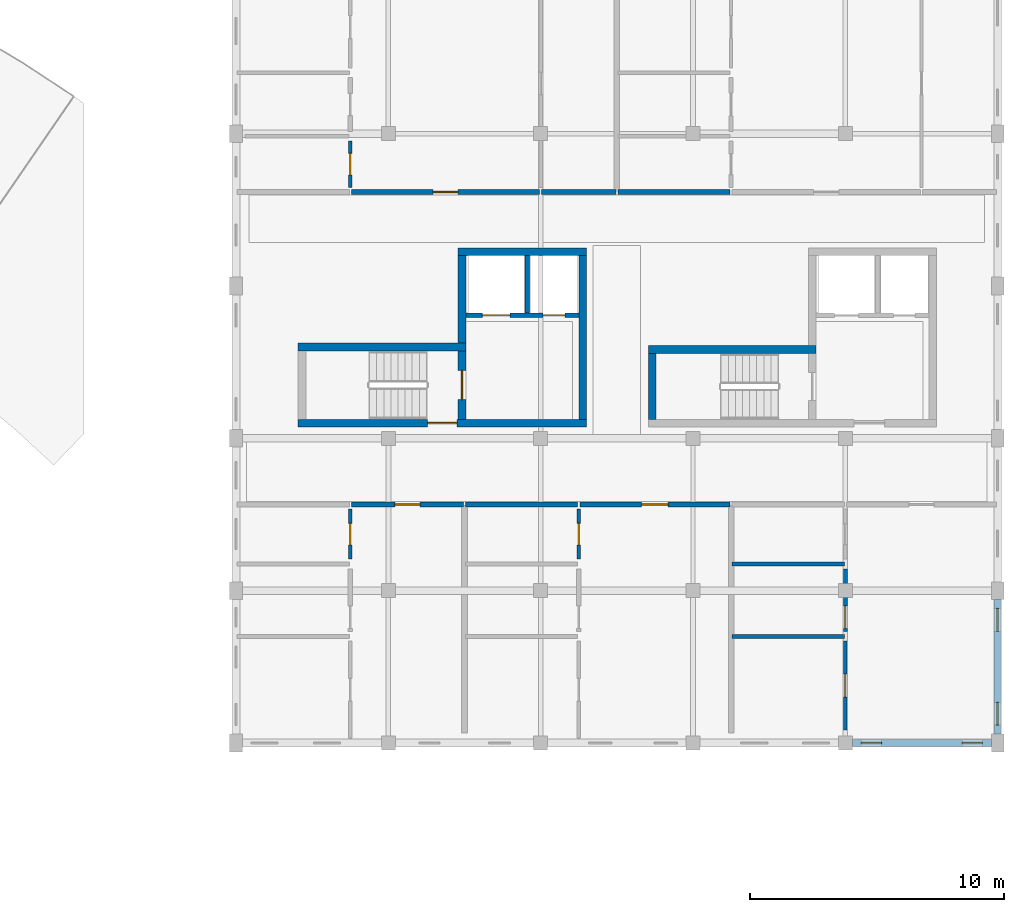
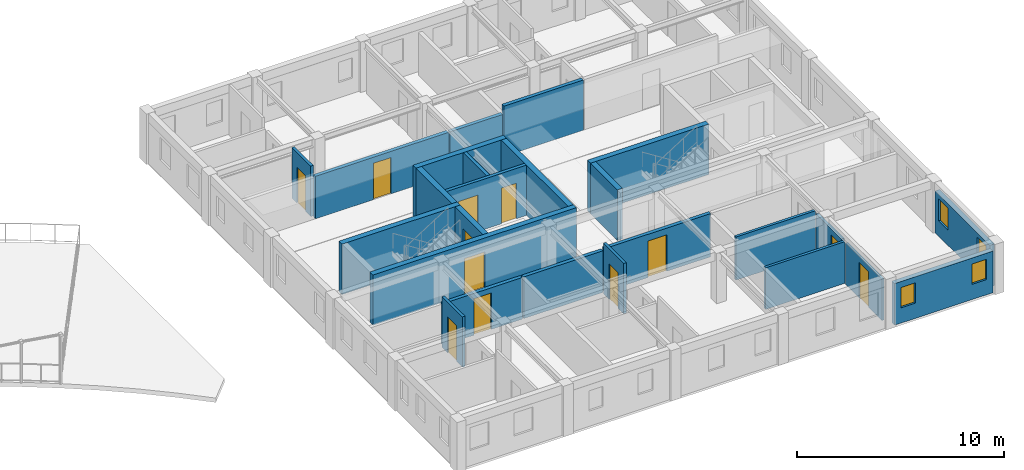
# One storey, part 41 of 58: 25 walls, 12 doors, 4 windows, 16 openings.
"""IFC4 building model written with IfcOpenShell, lengths in metres."""

from ifc_helpers import new_model, si_unit, direction, frame, frame_2d, origin, place, context, subcontext, project, spatial, rectangle, extrude, material, layer, layer_set, type_object, element, fill, save


model = new_model("IFC4")

# Units and contexts
model_context = context("Model", 3, precision=1e-05, world=origin(), true_north=direction((0.0, 1.0)))
body_context = subcontext(model_context, "Body", "Model", "MODEL_VIEW")
ifc_project = project(units=[si_unit("LENGTHUNIT", "METRE"), si_unit("AREAUNIT", "SQUARE_METRE"), si_unit("VOLUMEUNIT", "CUBIC_METRE"), si_unit("PLANEANGLEUNIT", "RADIAN"), si_unit("MASSUNIT", "GRAM", prefix="KILO"), si_unit("POWERUNIT", "WATT"), si_unit("THERMODYNAMICTEMPERATUREUNIT", "KELVIN")], contexts=[model_context])

# Site, building, storey
site_placement = place(None, origin())
site = spatial("IfcSite", under=ifc_project, at=site_placement, CompositionType="ELEMENT")
building_placement = place(site_placement, origin())
building = spatial("IfcBuilding", under=site, at=building_placement, Name="Ruvembo Vaulted Housing Court", CompositionType="ELEMENT")
storey_placement = place(building_placement, frame((0.0, 0.0, 20.5)))
storey = spatial("IfcBuildingStorey", under=building, at=storey_placement, Name="L06", CompositionType="ELEMENT", Elevation=20.5)

# Wall, opening, door
ifc_material_1 = material(Name="Concrete C35/45", Category="concrete")
ifc_layer_1 = layer(ifc_material_1, 0.300048828125, Name="Concrete C35/45")
ifc_layer_set_1 = layer_set([ifc_layer_1], Name="Concrete C35/45")
wall_type_1 = type_object("IfcWallType", Name="WL-CORE-300", PredefinedType="SHEAR", material=ifc_layer_set_1)
wall_1_placement = place(storey_placement, frame((158.449951171875, 84.60009765625, 0.0), z_axis=(0.0, 0.0, 1.0), x_axis=(1.0, 0.0, 0.0)))
wall_1 = element("IfcWall", 1, at=wall_1_placement, inside=storey, type_object=wall_type_1, Name="Core D1 L06 South Shear Wall", PredefinedType="SHEAR", context=body_context, shape_type="SweptSolid", body=[
    extrude(rectangle(XDim=11.35009765625, YDim=0.300048828125, at=frame_2d((5.675048828125, 0.0))), origin(), (0.0, 0.0, 1.0), 2.969970703125),
])
opening_1_placement = place(wall_1_placement, frame((5.10009765625, 0.0, 0.0)))
opening_1 = element("IfcOpeningElement", 2, at=opening_1_placement, cuts=wall_1, Name="Opening LD0", PredefinedType="OPENING", context=body_context, shape_type="SweptSolid", body=[
    extrude(rectangle(XDim=1.14990234375, YDim=2.14990234375, at=frame_2d((0.574951171875, 1.074951171875))), frame((0.0, 0.159912109375, 0.0), z_axis=(0.0, -1.0, 0.0), x_axis=(1.0, 0.0, 0.0)), (0.0, 0.0, 1.0), 0.320068359375),
])
ifc_material_2 = material(Name="Galvanised Painted Steel", Category="steel")
door_type_1 = type_object("IfcDoorType", Name="DR-LOB-1150x2150", OperationType="NOTDEFINED", PredefinedType="DOOR", material=ifc_material_2)
door_1_placement = place(opening_1_placement, origin())
door_1 = element("IfcDoor", 3, at=door_1_placement, inside=storey, type_object=door_type_1, Name="Core D1 L06 Lobby Fire Door", OperationType="SINGLE_SWING_RIGHT", OverallHeight=2.14990234375, OverallWidth=1.14990234375, PredefinedType="DOOR", context=body_context, shape_type="SweptSolid", body=[
    extrude(rectangle(XDim=1.14990234375, YDim=2.14990234375, at=frame_2d((0.574951171875, 1.074951171875))), frame((0.0, 0.02490234375, 0.0), z_axis=(0.0, -1.0, 0.0), x_axis=(1.0, 0.0, 0.0)), (0.0, 0.0, 1.0), 0.050048828125),
])
fill(opening_1, door_1)

# Wall
wall_2_placement = place(storey_placement, frame((165.050048828125, 87.60009765625, 0.0), z_axis=(0.0, 0.0, 1.0), x_axis=(-1.0, 0.0, 0.0)))
element("IfcWall", 4, at=wall_2_placement, inside=storey, type_object=wall_type_1, Name="Core D1 L06 Stair North Shear Wall", PredefinedType="SHEAR", context=body_context, shape_type="SweptSolid", body=[
    extrude(rectangle(XDim=6.60009765625, YDim=0.300048828125, at=frame_2d((3.300048828125, 0.0))), origin(), (0.0, 0.0, 1.0), 2.969970703125),
])

# Wall, opening, door
wall_3_placement = place(storey_placement, frame((164.89990234375, 84.75, 0.0), z_axis=(0.0, 0.0, 1.0), x_axis=(0.0, 1.0, 0.0)))
wall_3 = element("IfcWall", 5, at=wall_3_placement, inside=storey, type_object=wall_type_1, Name="Core D1 L06 Stair-Lobby Shear Wall", PredefinedType="SHEAR", context=body_context, shape_type="SweptSolid", body=[
    extrude(rectangle(XDim=2.699951171875, YDim=0.300048828125, at=frame_2d((1.35009765625, 0.0))), origin(), (0.0, 0.0, 1.0), 2.969970703125),
])
opening_2_placement = place(wall_3_placement, frame((0.77490234375, 0.0, 0.0)))
opening_2 = element("IfcOpeningElement", 6, at=opening_2_placement, cuts=wall_3, Name="Opening SD1", PredefinedType="OPENING", context=body_context, shape_type="SweptSolid", body=[
    extrude(rectangle(XDim=1.14990234375, YDim=2.14990234375, at=frame_2d((0.574951171875, 1.074951171875))), frame((0.0, 0.159912109375, 0.0), z_axis=(0.0, -1.0, 0.0), x_axis=(1.0, 0.0, 0.0)), (0.0, 0.0, 1.0), 0.320068359375),
])
door_type_2 = type_object("IfcDoorType", Name="DR-STAIR-1150x2150", OperationType="NOTDEFINED", PredefinedType="DOOR", material=ifc_material_2)
door_2_placement = place(opening_2_placement, origin())
door_2 = element("IfcDoor", 7, at=door_2_placement, inside=storey, type_object=door_type_2, Name="Stair ST-D1 L06 Fire Door", OperationType="SINGLE_SWING_LEFT", OverallHeight=2.14990234375, OverallWidth=1.14990234375, PredefinedType="DOOR", context=body_context, shape_type="SweptSolid", body=[
    extrude(rectangle(XDim=1.14990234375, YDim=2.14990234375, at=frame_2d((0.574951171875, 1.074951171875))), frame((0.0, 0.02490234375, 0.0), z_axis=(0.0, -1.0, 0.0), x_axis=(1.0, 0.0, 0.0)), (0.0, 0.0, 1.0), 0.050048828125),
])
fill(opening_2, door_2)

# Walls
wall_4_placement = place(storey_placement, frame((169.800048828125, 91.35009765625, 0.0), z_axis=(0.0, 0.0, 1.0), x_axis=(-1.0, 0.0, 0.0)))
element("IfcWall", 8, at=wall_4_placement, inside=storey, type_object=wall_type_1, Name="Core D1 L06 North Shear Wall", PredefinedType="SHEAR", context=body_context, shape_type="SweptSolid", body=[
    extrude(rectangle(XDim=5.050048828125, YDim=0.300048828125, at=frame_2d((2.52490234375, 0.0))), origin(), (0.0, 0.0, 1.0), 2.969970703125),
])
wall_5_placement = place(storey_placement, frame((169.64990234375, 84.75, 0.0), z_axis=(0.0, 0.0, 1.0), x_axis=(0.0, 1.0, 0.0)))
element("IfcWall", 9, at=wall_5_placement, inside=storey, type_object=wall_type_1, Name="Core D1 L06 East Shear Wall", PredefinedType="SHEAR", context=body_context, shape_type="SweptSolid", body=[
    extrude(rectangle(XDim=6.449951171875, YDim=0.300048828125, at=frame_2d((3.22509765625, 0.0))), origin(), (0.0, 0.0, 1.0), 2.969970703125),
])
wall_6_placement = place(storey_placement, frame((164.89990234375, 87.75, 0.0), z_axis=(0.0, 0.0, 1.0), x_axis=(0.0, 1.0, 0.0)))
element("IfcWall", 10, at=wall_6_placement, inside=storey, type_object=wall_type_1, Name="Core D1 L06 Upper West Shear Wall", PredefinedType="SHEAR", context=body_context, shape_type="SweptSolid", body=[
    extrude(rectangle(XDim=3.449951171875, YDim=0.300048828125, at=frame_2d((1.72509765625, 0.0))), origin(), (0.0, 0.0, 1.0), 2.969970703125),
])
wall_7_placement = place(storey_placement, frame((178.85009765625, 87.5, 0.0), z_axis=(0.0, 0.0, 1.0), x_axis=(-1.0, 0.0, 0.0)))
element("IfcWall", 11, at=wall_7_placement, inside=storey, type_object=wall_type_1, Name="Core D2 L06 Stair North Shear Wall", PredefinedType="SHEAR", context=body_context, shape_type="SweptSolid", body=[
    extrude(rectangle(XDim=6.60009765625, YDim=0.300048828125, at=frame_2d((3.300048828125, 0.0))), origin(), (0.0, 0.0, 1.0), 2.969970703125),
])
wall_8_placement = place(storey_placement, frame((172.39990234375, 87.35009765625, 0.0), z_axis=(0.0, 0.0, 1.0), x_axis=(0.0, -1.0, 0.0)))
element("IfcWall", 12, at=wall_8_placement, inside=storey, type_object=wall_type_1, Name="Core D2 L06 Stair West Shear Wall", PredefinedType="SHEAR", context=body_context, shape_type="SweptSolid", body=[
    extrude(rectangle(XDim=2.60009765625, YDim=0.300048828125, at=frame_2d((1.300048828125, 0.0))), origin(), (0.0, 0.0, 1.0), 2.969970703125),
])

# Wall, opening, door
ifc_material_3 = material(Name="Concrete Blockwork 200", Category="masonry")
ifc_layer_2 = layer(ifc_material_3, 0.199951171875, Name="Concrete Blockwork 200")
ifc_layer_set_2 = layer_set([ifc_layer_2], Name="Concrete Blockwork 200")
wall_type_2 = type_object("IfcWallType", Name="WL-CORR-200", PredefinedType="SOLIDWALL", material=ifc_layer_set_2)
wall_9_placement = place(storey_placement, frame((160.5400390625, 81.39990234375, 0.0), z_axis=(0.0, 0.0, 1.0), x_axis=(1.0, 0.0, 0.0)))
wall_9 = element("IfcWall", 13, at=wall_9_placement, inside=storey, type_object=wall_type_2, Name="L06 Flat D-L06-S1 Entrance WL-INT-L06-01822", PredefinedType="SOLIDWALL", context=body_context, shape_type="SweptSolid", body=[
    extrude(rectangle(XDim=4.419921875, YDim=0.199951171875, at=frame_2d((2.2099609375, 0.0))), origin(), (0.0, 0.0, 1.0), 2.4580078125),
])
opening_3_placement = place(wall_9_placement, frame((1.719970703125, 0.0, 0.0)))
opening_3 = element("IfcOpeningElement", 14, at=opening_3_placement, cuts=wall_9, Name="Opening FD2", PredefinedType="OPENING", context=body_context, shape_type="SweptSolid", body=[
    extrude(rectangle(XDim=0.97998046875, YDim=2.14990234375, at=frame_2d((0.489990234375, 1.074951171875))), frame((0.0, 0.10986328125, 0.0), z_axis=(0.0, -1.0, 0.0), x_axis=(1.0, 0.0, 0.0)), (0.0, 0.0, 1.0), 0.219970703125),
])
ifc_material_4 = material(Name="FSC Hardwood and Engineered Timber", Category="wood")
door_type_3 = type_object("IfcDoorType", Name="DR-FLAT-0980x2150", OperationType="NOTDEFINED", PredefinedType="DOOR", material=ifc_material_4)
door_3_placement = place(opening_3_placement, origin())
door_3 = element("IfcDoor", 15, at=door_3_placement, inside=storey, type_object=door_type_3, Name="L06 Flat D-L06-S1 Entrance Door DR-INT-L06-01027", OperationType="SINGLE_SWING_LEFT", OverallHeight=2.14990234375, OverallWidth=0.97998046875, PredefinedType="DOOR", context=body_context, shape_type="SweptSolid", body=[
    extrude(rectangle(XDim=0.97998046875, YDim=2.14990234375, at=frame_2d((0.489990234375, 1.074951171875))), frame((0.0, 0.02490234375, 0.0), z_axis=(0.0, -1.0, 0.0), x_axis=(1.0, 0.0, 0.0)), (0.0, 0.0, 1.0), 0.050048828125),
])
fill(opening_3, door_3)

# Wall
wall_10_placement = place(storey_placement, frame((165.0400390625, 81.39990234375, 0.0), z_axis=(0.0, 0.0, 1.0), x_axis=(1.0, 0.0, 0.0)))
element("IfcWall", 16, at=wall_10_placement, inside=storey, type_object=wall_type_2, Name="L06 Flat D-L06-S2 Corridor Wall WL-INT-L06-01829", PredefinedType="SOLIDWALL", context=body_context, shape_type="SweptSolid", body=[
    extrude(rectangle(XDim=4.419921875, YDim=0.199951171875, at=frame_2d((2.2099609375, 0.0))), origin(), (0.0, 0.0, 1.0), 2.4580078125),
])

# Wall, opening, door
wall_11_placement = place(storey_placement, frame((169.5400390625, 81.39990234375, 0.0), z_axis=(0.0, 0.0, 1.0), x_axis=(1.0, 0.0, 0.0)))
wall_11 = element("IfcWall", 17, at=wall_11_placement, inside=storey, type_object=wall_type_2, Name="L06 Flat D-L06-S2 Entrance WL-INT-L06-01830", PredefinedType="SOLIDWALL", context=body_context, shape_type="SweptSolid", body=[
    extrude(rectangle(XDim=5.919921875, YDim=0.199951171875, at=frame_2d((2.9599609375, 0.0))), origin(), (0.0, 0.0, 1.0), 2.548095703125),
])
opening_4_placement = place(wall_11_placement, frame((2.43505859375, 0.0, 0.0)))
opening_4 = element("IfcOpeningElement", 18, at=opening_4_placement, cuts=wall_11, Name="Opening FD3", PredefinedType="OPENING", context=body_context, shape_type="SweptSolid", body=[
    extrude(rectangle(XDim=1.050048828125, YDim=2.14990234375, at=frame_2d((0.52490234375, 1.074951171875))), frame((0.0, 0.10986328125, 0.0), z_axis=(0.0, -1.0, 0.0), x_axis=(1.0, 0.0, 0.0)), (0.0, 0.0, 1.0), 0.219970703125),
])
door_type_4 = type_object("IfcDoorType", Name="DR-FLAT-1050x2150", OperationType="NOTDEFINED", PredefinedType="DOOR", material=ifc_material_4)
door_4_placement = place(opening_4_placement, origin())
door_4 = element("IfcDoor", 19, at=door_4_placement, inside=storey, type_object=door_type_4, Name="L06 Flat D-L06-S2 Entrance Door DR-INT-L06-01031", OperationType="SINGLE_SWING_LEFT", OverallHeight=2.14990234375, OverallWidth=1.050048828125, PredefinedType="DOOR", context=body_context, shape_type="SweptSolid", body=[
    extrude(rectangle(XDim=1.050048828125, YDim=2.14990234375, at=frame_2d((0.52490234375, 1.074951171875))), frame((0.0, 0.02490234375, 0.0), z_axis=(0.0, -1.0, 0.0), x_axis=(1.0, 0.0, 0.0)), (0.0, 0.0, 1.0), 0.050048828125),
])
fill(opening_4, door_4)

wall_12_placement = place(storey_placement, frame((160.5400390625, 93.699951171875, 0.0), z_axis=(0.0, 0.0, 1.0), x_axis=(1.0, 0.0, 0.0)))
wall_12 = element("IfcWall", 20, at=wall_12_placement, inside=storey, type_object=wall_type_2, Name="L06 Flat D-L06-N1 Entrance WL-INT-L06-01845", PredefinedType="SOLIDWALL", context=body_context, shape_type="SweptSolid", body=[
    extrude(rectangle(XDim=7.419921875, YDim=0.199951171875, at=frame_2d((3.7099609375, 0.0))), origin(), (0.0, 0.0, 1.0), 2.508056640625),
])
opening_5_placement = place(wall_12_placement, frame((3.219970703125, 0.0, 0.0)))
opening_5 = element("IfcOpeningElement", 21, at=opening_5_placement, cuts=wall_12, Name="Opening FD2", PredefinedType="OPENING", context=body_context, shape_type="SweptSolid", body=[
    extrude(rectangle(XDim=0.97998046875, YDim=2.14990234375, at=frame_2d((0.489990234375, 1.074951171875))), frame((0.0, 0.10986328125, 0.0), z_axis=(0.0, -1.0, 0.0), x_axis=(1.0, 0.0, 0.0)), (0.0, 0.0, 1.0), 0.219970703125),
])
door_5_placement = place(opening_5_placement, origin())
door_5 = element("IfcDoor", 22, at=door_5_placement, inside=storey, type_object=door_type_3, Name="L06 Flat D-L06-N1 Entrance Door DR-INT-L06-01039", OperationType="SINGLE_SWING_LEFT", OverallHeight=2.14990234375, OverallWidth=0.97998046875, PredefinedType="DOOR", context=body_context, shape_type="SweptSolid", body=[
    extrude(rectangle(XDim=0.97998046875, YDim=2.14990234375, at=frame_2d((0.489990234375, 1.074951171875))), frame((0.0, 0.02490234375, 0.0), z_axis=(0.0, -1.0, 0.0), x_axis=(1.0, 0.0, 0.0)), (0.0, 0.0, 1.0), 0.050048828125),
])
fill(opening_5, door_5)

# Walls
wall_13_placement = place(storey_placement, frame((168.0400390625, 93.699951171875, 0.0), z_axis=(0.0, 0.0, 1.0), x_axis=(1.0, 0.0, 0.0)))
element("IfcWall", 23, at=wall_13_placement, inside=storey, type_object=wall_type_2, Name="L06 Flat D-L06-N1 Corridor Wall 2 WL-INT-L06-01851", PredefinedType="SOLIDWALL", context=body_context, shape_type="SweptSolid", body=[
    extrude(rectangle(XDim=2.919921875, YDim=0.199951171875, at=frame_2d((1.4599609375, 0.0))), origin(), (0.0, 0.0, 1.0), 2.508056640625),
])
wall_14_placement = place(storey_placement, frame((171.0400390625, 93.699951171875, 0.0), z_axis=(0.0, 0.0, 1.0), x_axis=(1.0, 0.0, 0.0)))
element("IfcWall", 24, at=wall_14_placement, inside=storey, type_object=wall_type_2, Name="L06 Flat D-L06-N2 Corridor Wall WL-INT-L06-01853", PredefinedType="SOLIDWALL", context=body_context, shape_type="SweptSolid", body=[
    extrude(rectangle(XDim=4.419921875, YDim=0.199951171875, at=frame_2d((2.2099609375, 0.0))), origin(), (0.0, 0.0, 1.0), 2.969970703125),
])

# Wall, openings, windows
ifc_material_5 = material(Name="Rendered Masonry 270", Category="masonry")
ifc_layer_3 = layer(ifc_material_5, 0.27001953125, Name="Rendered Masonry 270")
ifc_layer_set_3 = layer_set([ifc_layer_3], Name="Rendered Masonry 270")
wall_type_3 = type_object("IfcWallType", Name="WL-EXT-270", PredefinedType="STANDARD", material=ifc_layer_set_3)
wall_15_placement = place(storey_placement, frame((180.27490234375, 72.0, 0.0), z_axis=(0.0, 0.0, 1.0), x_axis=(1.0, 0.0, 0.0)))
wall_15 = element("IfcWall", 25, at=wall_15_placement, inside=storey, type_object=wall_type_3, Name="Block D L06 Exterior Wall COURTYARD #5", PredefinedType="STANDARD", context=body_context, shape_type="SweptSolid", body=[
    extrude(rectangle(XDim=5.47509765625, YDim=0.27001953125, at=frame_2d((2.737548828125, 0.0))), origin(), (0.0, 0.0, 1.0), 2.451904296875),
])
opening_6_placement = place(wall_15_placement, frame((0.35009765625, 0.0, 0.89990234375)))
opening_6 = element("IfcOpeningElement", 26, at=opening_6_placement, cuts=wall_15, Name="Opening W02", PredefinedType="OPENING", context=body_context, shape_type="SweptSolid", body=[
    extrude(rectangle(XDim=0.800048828125, YDim=1.199951171875, at=frame_2d((0.39990234375, 0.60009765625))), frame((0.0, 0.14501953125, 0.0), z_axis=(0.0, -1.0, 0.0), x_axis=(1.0, 0.0, 0.0)), (0.0, 0.0, 1.0), 0.2900390625),
])
opening_7_placement = place(wall_15_placement, frame((4.324951171875, 0.0, 0.89990234375)))
opening_7 = element("IfcOpeningElement", 27, at=opening_7_placement, cuts=wall_15, Name="Opening W02", PredefinedType="OPENING", context=body_context, shape_type="SweptSolid", body=[
    extrude(rectangle(XDim=0.800048828125, YDim=1.199951171875, at=frame_2d((0.39990234375, 0.60009765625))), frame((0.0, 0.14501953125, 0.0), z_axis=(0.0, -1.0, 0.0), x_axis=(1.0, 0.0, 0.0)), (0.0, 0.0, 1.0), 0.2900390625),
])
ifc_material_6 = material(Name="Double Solar-Control Glazing in Aluminium Frame", Category="aluminium")
window_type_1 = type_object("IfcWindowType", Name="WIN-0800x1200", PartitioningType="SINGLE_PANEL", PredefinedType="WINDOW", material=ifc_material_6)
window_1_placement = place(opening_6_placement, origin())
window_1 = element("IfcWindow", 28, at=window_1_placement, inside=storey, type_object=window_type_1, Name="Block D L06 Window #1710", OverallHeight=1.199951171875, OverallWidth=0.800048828125, PartitioningType="SINGLE_PANEL", PredefinedType="WINDOW", context=body_context, shape_type="SweptSolid", body=[
    extrude(rectangle(XDim=0.800048828125, YDim=1.199951171875, at=frame_2d((0.39990234375, 0.60009765625))), frame((0.0, 0.030029296875, 0.0), z_axis=(0.0, -1.0, 0.0), x_axis=(1.0, 0.0, 0.0)), (0.0, 0.0, 1.0), 0.06005859375),
])
fill(opening_6, window_1)
window_2_placement = place(opening_7_placement, origin())
window_2 = element("IfcWindow", 29, at=window_2_placement, inside=storey, type_object=window_type_1, Name="Block D L06 Window #1711", OverallHeight=1.199951171875, OverallWidth=0.800048828125, PartitioningType="SINGLE_PANEL", PredefinedType="WINDOW", context=body_context, shape_type="SweptSolid", body=[
    extrude(rectangle(XDim=0.800048828125, YDim=1.199951171875, at=frame_2d((0.39990234375, 0.60009765625))), frame((0.0, 0.030029296875, 0.0), z_axis=(0.0, -1.0, 0.0), x_axis=(1.0, 0.0, 0.0)), (0.0, 0.0, 1.0), 0.06005859375),
])
fill(opening_7, window_2)

wall_16_placement = place(storey_placement, frame((186.0, 72.35009765625, 0.0), z_axis=(0.0, 0.0, 1.0), x_axis=(0.0, 1.0, 0.0)))
wall_16 = element("IfcWall", 30, at=wall_16_placement, inside=storey, type_object=wall_type_3, Name="Block D L06 Exterior Wall EAST #1", PredefinedType="STANDARD", context=body_context, shape_type="SweptSolid", body=[
    extrude(rectangle(XDim=5.2998046875, YDim=0.27001953125, at=frame_2d((2.64990234375, 0.0))), origin(), (0.0, 0.0, 1.0), 2.451904296875),
])
opening_8_placement = place(wall_16_placement, frame((0.35009765625, 0.0, 0.89990234375)))
opening_8 = element("IfcOpeningElement", 31, at=opening_8_placement, cuts=wall_16, Name="Opening W04", PredefinedType="OPENING", context=body_context, shape_type="SweptSolid", body=[
    extrude(rectangle(XDim=0.89990234375, YDim=1.300048828125, at=frame_2d((0.449951171875, 0.64990234375))), frame((0.0, 0.14501953125, 0.0), z_axis=(0.0, -1.0, 0.0), x_axis=(1.0, 0.0, 0.0)), (0.0, 0.0, 1.0), 0.2900390625),
])
opening_9_placement = place(wall_16_placement, frame((4.050048828125, 0.0, 0.89990234375)))
opening_9 = element("IfcOpeningElement", 32, at=opening_9_placement, cuts=wall_16, Name="Opening W04", PredefinedType="OPENING", context=body_context, shape_type="SweptSolid", body=[
    extrude(rectangle(XDim=0.89990234375, YDim=1.300048828125, at=frame_2d((0.449951171875, 0.64990234375))), frame((0.0, 0.14501953125, 0.0), z_axis=(0.0, -1.0, 0.0), x_axis=(1.0, 0.0, 0.0)), (0.0, 0.0, 1.0), 0.2900390625),
])
window_type_2 = type_object("IfcWindowType", Name="WIN-0900x1300", PartitioningType="SINGLE_PANEL", PredefinedType="WINDOW", material=ifc_material_6)
window_3_placement = place(opening_8_placement, origin())
window_3 = element("IfcWindow", 33, at=window_3_placement, inside=storey, type_object=window_type_2, Name="Block D L06 Window #1712", OverallHeight=1.300048828125, OverallWidth=0.89990234375, PartitioningType="SINGLE_PANEL", PredefinedType="WINDOW", context=body_context, shape_type="SweptSolid", body=[
    extrude(rectangle(XDim=0.89990234375, YDim=1.300048828125, at=frame_2d((0.449951171875, 0.64990234375))), frame((0.0, 0.030029296875, 0.0), z_axis=(0.0, -1.0, 0.0), x_axis=(1.0, 0.0, 0.0)), (0.0, 0.0, 1.0), 0.06005859375),
])
fill(opening_8, window_3)
window_4_placement = place(opening_9_placement, origin())
window_4 = element("IfcWindow", 34, at=window_4_placement, inside=storey, type_object=window_type_2, Name="Block D L06 Window #1713", OverallHeight=1.300048828125, OverallWidth=0.89990234375, PartitioningType="SINGLE_PANEL", PredefinedType="WINDOW", context=body_context, shape_type="SweptSolid", body=[
    extrude(rectangle(XDim=0.89990234375, YDim=1.300048828125, at=frame_2d((0.449951171875, 0.64990234375))), frame((0.0, 0.030029296875, 0.0), z_axis=(0.0, -1.0, 0.0), x_axis=(1.0, 0.0, 0.0)), (0.0, 0.0, 1.0), 0.06005859375),
])
fill(opening_9, window_4)

# Wall, opening, door
ifc_material_7 = material(Name="Plasterboard Stud Partition 125", Category="gypsum")
ifc_layer_4 = layer(ifc_material_7, 0.125, Name="Plasterboard Stud Partition 125")
ifc_layer_set_4 = layer_set([ifc_layer_4], Name="Plasterboard Stud Partition 125")
wall_type_4 = type_object("IfcWallType", Name="WL-PART-125", PredefinedType="PARTITIONING", material=ifc_layer_set_4)
wall_17_placement = place(storey_placement, frame((180.0, 72.510009765625, 0.0), z_axis=(0.0, 0.0, 1.0), x_axis=(0.0, 1.0, 0.0)))
wall_17 = element("IfcWall", 35, at=wall_17_placement, inside=storey, type_object=wall_type_4, Name="L06 Flat D-L06-S3 Bedroom 1 WL-INT-L06-01838", PredefinedType="PARTITIONING", context=body_context, shape_type="SweptSolid", body=[
    extrude(rectangle(XDim=3.5, YDim=0.125, at=frame_2d((1.75, 0.0))), origin(), (0.0, 0.0, 1.0), 2.4580078125),
])
opening_10_placement = place(wall_17_placement, frame((1.300048828125, 0.0, 0.0)))
opening_10 = element("IfcOpeningElement", 36, at=opening_10_placement, cuts=wall_17, Name="Opening ID1", PredefinedType="OPENING", context=body_context, shape_type="SweptSolid", body=[
    extrude(rectangle(XDim=0.89990234375, YDim=2.10009765625, at=frame_2d((0.449951171875, 1.050048828125))), frame((0.0, 0.072509765625, 0.0), z_axis=(0.0, -1.0, 0.0), x_axis=(1.0, 0.0, 0.0)), (0.0, 0.0, 1.0), 0.14501953125),
])
door_type_5 = type_object("IfcDoorType", Name="DR-ROOM-0900x2100", OperationType="NOTDEFINED", PredefinedType="DOOR", material=ifc_material_4)
door_6_placement = place(opening_10_placement, origin())
door_6 = element("IfcDoor", 37, at=door_6_placement, inside=storey, type_object=door_type_5, Name="L06 Flat D-L06-S3 Bedroom 1 Door DR-INT-L06-01036", OperationType="SINGLE_SWING_RIGHT", OverallHeight=2.10009765625, OverallWidth=0.89990234375, PredefinedType="DOOR", context=body_context, shape_type="SweptSolid", body=[
    extrude(rectangle(XDim=0.89990234375, YDim=2.10009765625, at=frame_2d((0.449951171875, 1.050048828125))), frame((0.0, 0.02490234375, 0.0), z_axis=(0.0, -1.0, 0.0), x_axis=(1.0, 0.0, 0.0)), (0.0, 0.0, 1.0), 0.050048828125),
])
fill(opening_10, door_6)

ifc_material_8 = material(Name="Moisture-Resistant Wet Partition 150", Category="gypsum")
ifc_layer_5 = layer(ifc_material_8, 0.14990234375, Name="Moisture-Resistant Wet Partition 150")
ifc_layer_set_5 = layer_set([ifc_layer_5], Name="Moisture-Resistant Wet Partition 150")
wall_type_5 = type_object("IfcWallType", Name="WL-PART-150", PredefinedType="PARTITIONING", material=ifc_layer_set_5)
wall_18_placement = place(storey_placement, frame((160.5, 79.239990234375, 0.0), z_axis=(0.0, 0.0, 1.0), x_axis=(0.0, 1.0, 0.0)))
wall_18 = element("IfcWall", 38, at=wall_18_placement, inside=storey, type_object=wall_type_5, Name="L06 Flat D-L06-S1 Bathroom WL-INT-L06-01825", PredefinedType="PARTITIONING", context=body_context, shape_type="SweptSolid", body=[
    extrude(rectangle(XDim=1.969970703125, YDim=0.14990234375, at=frame_2d((0.98486328125, 0.0))), origin(), (0.0, 0.0, 1.0), 2.969970703125),
])
opening_11_placement = place(wall_18_placement, frame((0.56005859375, 0.0, 0.0)))
opening_11 = element("IfcOpeningElement", 39, at=opening_11_placement, cuts=wall_18, Name="Opening ID2", PredefinedType="OPENING", context=body_context, shape_type="SweptSolid", body=[
    extrude(rectangle(XDim=0.85009765625, YDim=2.10009765625, at=frame_2d((0.425048828125, 1.050048828125))), frame((0.0, 0.0849609375, 0.0), z_axis=(0.0, -1.0, 0.0), x_axis=(1.0, 0.0, 0.0)), (0.0, 0.0, 1.0), 0.169921875),
])
door_type_6 = type_object("IfcDoorType", Name="DR-WET-0850x2100", OperationType="NOTDEFINED", PredefinedType="DOOR", material=ifc_material_4)
door_7_placement = place(opening_11_placement, origin())
door_7 = element("IfcDoor", 40, at=door_7_placement, inside=storey, type_object=door_type_6, Name="L06 Flat D-L06-S1 Bathroom Door DR-INT-L06-01030", OperationType="SINGLE_SWING_RIGHT", OverallHeight=2.10009765625, OverallWidth=0.85009765625, PredefinedType="DOOR", context=body_context, shape_type="SweptSolid", body=[
    extrude(rectangle(XDim=0.85009765625, YDim=2.10009765625, at=frame_2d((0.425048828125, 1.050048828125))), frame((0.0, 0.02490234375, 0.0), z_axis=(0.0, -1.0, 0.0), x_axis=(1.0, 0.0, 0.0)), (0.0, 0.0, 1.0), 0.050048828125),
])
fill(opening_11, door_7)

wall_19_placement = place(storey_placement, frame((169.5, 79.239990234375, 0.0), z_axis=(0.0, 0.0, 1.0), x_axis=(0.0, 1.0, 0.0)))
wall_19 = element("IfcWall", 41, at=wall_19_placement, inside=storey, type_object=wall_type_5, Name="L06 Flat D-L06-S2 Bathroom WL-INT-L06-01833", PredefinedType="PARTITIONING", context=body_context, shape_type="SweptSolid", body=[
    extrude(rectangle(XDim=1.969970703125, YDim=0.14990234375, at=frame_2d((0.98486328125, 0.0))), origin(), (0.0, 0.0, 1.0), 2.969970703125),
])
opening_12_placement = place(wall_19_placement, frame((0.56005859375, 0.0, 0.0)))
opening_12 = element("IfcOpeningElement", 42, at=opening_12_placement, cuts=wall_19, Name="Opening ID2", PredefinedType="OPENING", context=body_context, shape_type="SweptSolid", body=[
    extrude(rectangle(XDim=0.85009765625, YDim=2.10009765625, at=frame_2d((0.425048828125, 1.050048828125))), frame((0.0, 0.0849609375, 0.0), z_axis=(0.0, -1.0, 0.0), x_axis=(1.0, 0.0, 0.0)), (0.0, 0.0, 1.0), 0.169921875),
])
door_8_placement = place(opening_12_placement, origin())
door_8 = element("IfcDoor", 43, at=door_8_placement, inside=storey, type_object=door_type_6, Name="L06 Flat D-L06-S2 Bathroom Door DR-INT-L06-01034", OperationType="SINGLE_SWING_RIGHT", OverallHeight=2.10009765625, OverallWidth=0.85009765625, PredefinedType="DOOR", context=body_context, shape_type="SweptSolid", body=[
    extrude(rectangle(XDim=0.85009765625, YDim=2.10009765625, at=frame_2d((0.425048828125, 1.050048828125))), frame((0.0, 0.02490234375, 0.0), z_axis=(0.0, -1.0, 0.0), x_axis=(1.0, 0.0, 0.0)), (0.0, 0.0, 1.0), 0.050048828125),
])
fill(opening_12, door_8)

# Walls
wall_20_placement = place(storey_placement, frame((175.5400390625, 76.199951171875, 0.0), z_axis=(0.0, 0.0, 1.0), x_axis=(1.0, 0.0, 0.0)))
element("IfcWall", 44, at=wall_20_placement, inside=storey, type_object=wall_type_5, Name="L06 Flat D-L06-S3 Wet Wall 1 WL-INT-L06-01841", PredefinedType="PARTITIONING", context=body_context, shape_type="SweptSolid", body=[
    extrude(rectangle(XDim=4.419921875, YDim=0.14990234375, at=frame_2d((2.2099609375, 0.0))), origin(), (0.0, 0.0, 1.0), 2.4580078125),
])
wall_21_placement = place(storey_placement, frame((175.5400390625, 79.050048828125, 0.0), z_axis=(0.0, 0.0, 1.0), x_axis=(1.0, 0.0, 0.0)))
element("IfcWall", 45, at=wall_21_placement, inside=storey, type_object=wall_type_5, Name="L06 Flat D-L06-S3 Wet Wall 2 WL-INT-L06-01842", PredefinedType="PARTITIONING", context=body_context, shape_type="SweptSolid", body=[
    extrude(rectangle(XDim=4.419921875, YDim=0.14990234375, at=frame_2d((2.2099609375, 0.0))), origin(), (0.0, 0.0, 1.0), 2.548095703125),
])

# Wall, opening, door
wall_22_placement = place(storey_placement, frame((160.5, 93.889892578125, 0.0), z_axis=(0.0, 0.0, 1.0), x_axis=(0.0, 1.0, 0.0)))
wall_22 = element("IfcWall", 46, at=wall_22_placement, inside=storey, type_object=wall_type_5, Name="L06 Flat D-L06-N1 Bathroom WL-INT-L06-01848", PredefinedType="PARTITIONING", context=body_context, shape_type="SweptSolid", body=[
    extrude(rectangle(XDim=1.820068359375, YDim=0.14990234375, at=frame_2d((0.91015625, 0.0))), origin(), (0.0, 0.0, 1.0), 2.969970703125),
])
opening_13_placement = place(wall_22_placement, frame((0.485107421875, 0.0, 0.0)))
opening_13 = element("IfcOpeningElement", 47, at=opening_13_placement, cuts=wall_22, Name="Opening ID2", PredefinedType="OPENING", context=body_context, shape_type="SweptSolid", body=[
    extrude(rectangle(XDim=0.85009765625, YDim=2.10009765625, at=frame_2d((0.425048828125, 1.050048828125))), frame((0.0, 0.0849609375, 0.0), z_axis=(0.0, -1.0, 0.0), x_axis=(1.0, 0.0, 0.0)), (0.0, 0.0, 1.0), 0.169921875),
])
door_9_placement = place(opening_13_placement, origin())
door_9 = element("IfcDoor", 48, at=door_9_placement, inside=storey, type_object=door_type_6, Name="L06 Flat D-L06-N1 Bathroom Door DR-INT-L06-01042", OperationType="SINGLE_SWING_RIGHT", OverallHeight=2.10009765625, OverallWidth=0.85009765625, PredefinedType="DOOR", context=body_context, shape_type="SweptSolid", body=[
    extrude(rectangle(XDim=0.85009765625, YDim=2.10009765625, at=frame_2d((0.425048828125, 1.050048828125))), frame((0.0, 0.02490234375, 0.0), z_axis=(0.0, -1.0, 0.0), x_axis=(1.0, 0.0, 0.0)), (0.0, 0.0, 1.0), 0.050048828125),
])
fill(opening_13, door_9)

ifc_material_9 = material(Name="Acoustic Service Chase Wall 160", Category="gypsum")
ifc_layer_6 = layer(ifc_material_9, 0.159912109375, Name="Acoustic Service Chase Wall 160")
ifc_layer_set_6 = layer_set([ifc_layer_6], Name="Acoustic Service Chase Wall 160")
wall_type_6 = type_object("IfcWallType", Name="WL-PLUMB-160", PredefinedType="PLUMBINGWALL", material=ifc_layer_set_6)
wall_23_placement = place(storey_placement, frame((180.0, 76.389892578125, 0.0), z_axis=(0.0, 0.0, 1.0), x_axis=(0.0, 1.0, 0.0)))
wall_23 = element("IfcWall", 49, at=wall_23_placement, inside=storey, type_object=wall_type_6, Name="L06 Flat D-L06-S3 Kitchen WL-INT-L06-01839", PredefinedType="PLUMBINGWALL", context=body_context, shape_type="SweptSolid", body=[
    extrude(rectangle(XDim=2.47021484375, YDim=0.159912109375, at=frame_2d((1.235107421875, 0.0))), origin(), (0.0, 0.0, 1.0), 2.4580078125),
])
opening_14_placement = place(wall_23_placement, frame((0.1298828125, 0.0, 0.0)))
opening_14 = element("IfcOpeningElement", 50, at=opening_14_placement, cuts=wall_23, Name="Opening ID3", PredefinedType="OPENING", context=body_context, shape_type="SweptSolid", body=[
    extrude(rectangle(XDim=0.8798828125, YDim=2.10009765625, at=frame_2d((0.43994140625, 1.050048828125))), frame((0.0, 0.08984375, 0.0), z_axis=(0.0, -1.0, 0.0), x_axis=(1.0, 0.0, 0.0)), (0.0, 0.0, 1.0), 0.179931640625),
])
door_type_7 = type_object("IfcDoorType", Name="DR-ROOM-0880x2100", OperationType="NOTDEFINED", PredefinedType="DOOR", material=ifc_material_4)
door_10_placement = place(opening_14_placement, origin())
door_10 = element("IfcDoor", 51, at=door_10_placement, inside=storey, type_object=door_type_7, Name="L06 Flat D-L06-S3 Kitchen Door DR-INT-L06-01037", OperationType="SINGLE_SWING_LEFT", OverallHeight=2.10009765625, OverallWidth=0.8798828125, PredefinedType="DOOR", context=body_context, shape_type="SweptSolid", body=[
    extrude(rectangle(XDim=0.8798828125, YDim=2.10009765625, at=frame_2d((0.43994140625, 1.050048828125))), frame((0.0, 0.02490234375, 0.0), z_axis=(0.0, -1.0, 0.0), x_axis=(1.0, 0.0, 0.0)), (0.0, 0.0, 1.0), 0.050048828125),
])
fill(opening_14, door_10)

# Wall, openings, doors
ifc_material_10 = material(Name="Fire-Rated Masonry Shaft 180", Category="masonry")
ifc_layer_7 = layer(ifc_material_10, 0.179931640625, Name="Fire-Rated Masonry Shaft 180")
ifc_layer_set_7 = layer_set([ifc_layer_7], Name="Fire-Rated Masonry Shaft 180")
wall_type_7 = type_object("IfcWallType", Name="WL-SHAFT-180", PredefinedType="SOLIDWALL", material=ifc_layer_set_7)
wall_24_placement = place(storey_placement, frame((165.050048828125, 88.85009765625, 0.0), z_axis=(0.0, 0.0, 1.0), x_axis=(1.0, 0.0, 0.0)))
wall_24 = element("IfcWall", 52, at=wall_24_placement, inside=storey, type_object=wall_type_7, Name="Core D1 L06 Lift and Riser Front Wall", PredefinedType="SOLIDWALL", context=body_context, shape_type="SweptSolid", body=[
    extrude(rectangle(XDim=4.449951171875, YDim=0.179931640625, at=frame_2d((2.22509765625, 0.0))), origin(), (0.0, 0.0, 1.0), 2.969970703125),
])
opening_15_placement = place(wall_24_placement, frame((0.64990234375, 0.0, 0.0)))
opening_15 = element("IfcOpeningElement", 53, at=opening_15_placement, cuts=wall_24, Name="Opening LD-LP-D1-L06", PredefinedType="OPENING", context=body_context, shape_type="SweptSolid", body=[
    extrude(rectangle(XDim=1.10009765625, YDim=2.14990234375, at=frame_2d((0.550048828125, 1.074951171875))), frame((0.0, 0.099853515625, 0.0), z_axis=(0.0, -1.0, 0.0), x_axis=(1.0, 0.0, 0.0)), (0.0, 0.0, 1.0), 0.199951171875),
])
opening_16_placement = place(wall_24_placement, frame((3.050048828125, 0.0, 0.0)))
opening_16 = element("IfcOpeningElement", 54, at=opening_16_placement, cuts=wall_24, Name="Opening RD1", PredefinedType="OPENING", context=body_context, shape_type="SweptSolid", body=[
    extrude(rectangle(XDim=0.85009765625, YDim=2.10009765625, at=frame_2d((0.425048828125, 1.050048828125))), frame((0.0, 0.099853515625, 0.0), z_axis=(0.0, -1.0, 0.0), x_axis=(1.0, 0.0, 0.0)), (0.0, 0.0, 1.0), 0.199951171875),
])
ifc_material_11 = material(Name="Brushed Stainless Steel 304", Category="steel")
door_type_8 = type_object("IfcDoorType", Name="DR-LIFT-1100x2150", OperationType="NOTDEFINED", PredefinedType="DOOR", material=ifc_material_11)
door_11_placement = place(opening_15_placement, origin())
door_11 = element("IfcDoor", 55, at=door_11_placement, inside=storey, type_object=door_type_8, Name="Lift LP-D1 L06 Sliding Landing Door", OperationType="SLIDING_TO_LEFT", OverallHeight=2.14990234375, OverallWidth=1.10009765625, PredefinedType="DOOR", context=body_context, shape_type="SweptSolid", body=[
    extrude(rectangle(XDim=1.10009765625, YDim=2.14990234375, at=frame_2d((0.550048828125, 1.074951171875))), frame((0.0, 0.02490234375, 0.0), z_axis=(0.0, -1.0, 0.0), x_axis=(1.0, 0.0, 0.0)), (0.0, 0.0, 1.0), 0.050048828125),
])
fill(opening_15, door_11)
door_type_9 = type_object("IfcDoorType", Name="DR-RISER-0850x2100", OperationType="NOTDEFINED", PredefinedType="DOOR", material=ifc_material_2)
door_12_placement = place(opening_16_placement, frame((0.85009765625, 0.0, 0.0), z_axis=(0.0, 0.0, 1.0), x_axis=(-1.0, 0.0, 0.0)))
door_12 = element("IfcDoor", 56, at=door_12_placement, inside=storey, type_object=door_type_9, Name="Core D1 L06 Service Riser Door", OperationType="SINGLE_SWING_RIGHT", OverallHeight=2.10009765625, OverallWidth=0.85009765625, PredefinedType="DOOR", context=body_context, shape_type="SweptSolid", body=[
    extrude(rectangle(XDim=0.85009765625, YDim=2.10009765625, at=frame_2d((0.425048828125, 1.050048828125))), frame((0.0, 0.02490234375, 0.0), z_axis=(0.0, -1.0, 0.0), x_axis=(1.0, 0.0, 0.0)), (0.0, 0.0, 1.0), 0.050048828125),
])
fill(opening_16, door_12)

# Wall
wall_25_placement = place(storey_placement, frame((167.469970703125, 88.93994140625, 0.0), z_axis=(0.0, 0.0, 1.0), x_axis=(0.0, 1.0, 0.0)))
element("IfcWall", 57, at=wall_25_placement, inside=storey, type_object=wall_type_7, Name="Core D1 L06 Shaft-Riser Divider Wall", PredefinedType="SOLIDWALL", context=body_context, shape_type="SweptSolid", body=[
    extrude(rectangle(XDim=2.260009765625, YDim=0.179931640625, at=frame_2d((1.1298828125, 0.0))), origin(), (0.0, 0.0, 1.0), 2.969970703125),
])

save(model, "model.ifc")
